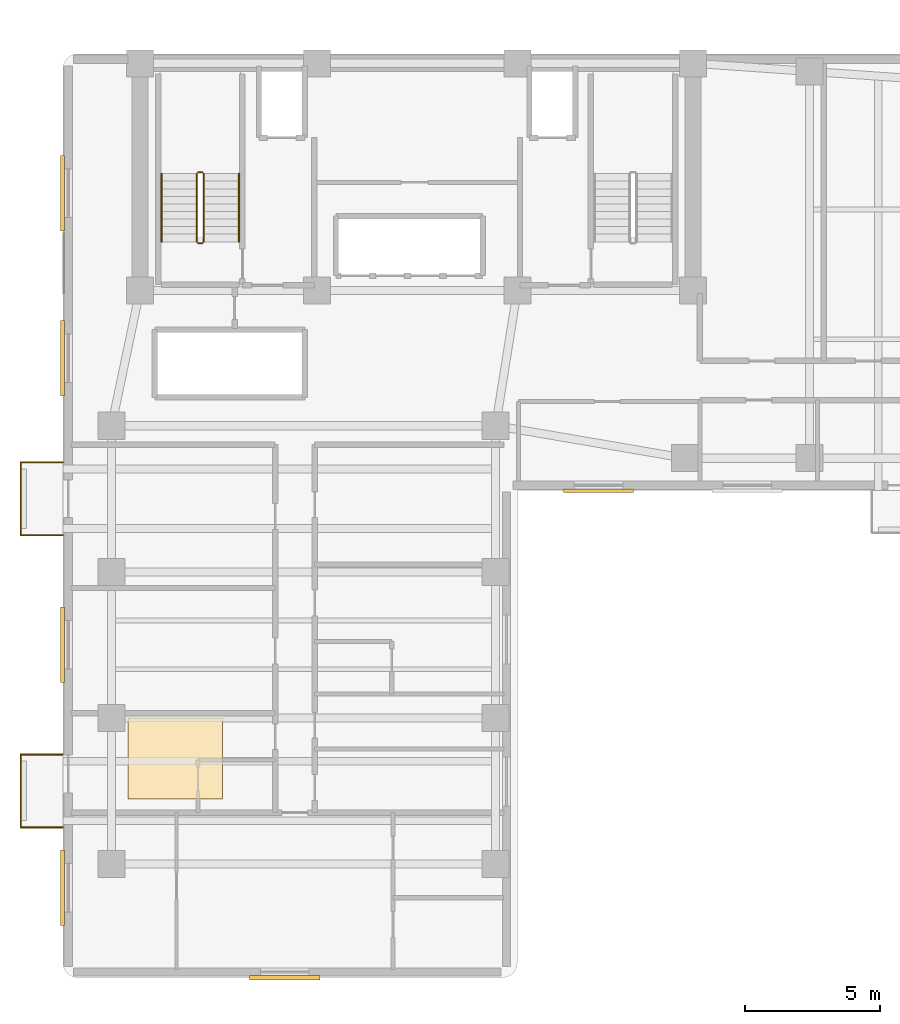
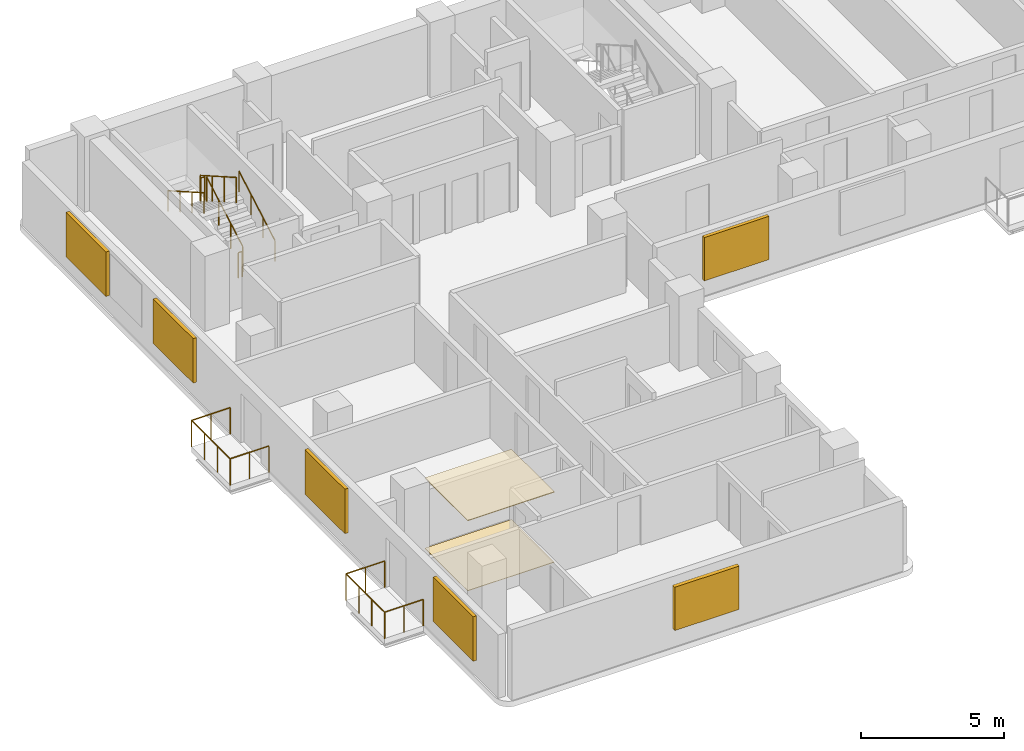
# One storey, part 6 of 8: 12 railings, 6 shading devices, 2 coverings.
"""IFC4 building model written with IfcOpenShell, lengths in metres."""

from ifc_helpers import new_model, si_unit, direction, frame, origin, origin_2d, place, context, subcontext, project, spatial, polyline, rectangle, circle, outline, extrude, material, layer, layer_set, type_object, element, save


model = new_model("IFC4")

# Units and contexts
model_context = context("Model", 3, precision=1e-05, world=origin(), true_north=direction((0.0, 1.0)))
body_context = subcontext(model_context, "Body", "Model", "MODEL_VIEW")
ifc_project = project(units=[si_unit("LENGTHUNIT", "METRE"), si_unit("AREAUNIT", "SQUARE_METRE"), si_unit("VOLUMEUNIT", "CUBIC_METRE"), si_unit("PLANEANGLEUNIT", "RADIAN"), si_unit("MASSUNIT", "GRAM", prefix="KILO")], contexts=[model_context])

# Site, building, storey
site_placement = place(None, origin())
site = spatial("IfcSite", under=ifc_project, at=site_placement, CompositionType="ELEMENT")
building_placement = place(site_placement, origin())
building = spatial("IfcBuilding", under=site, at=building_placement, Name="Kuzgunbayir Cultural Tower", CompositionType="ELEMENT")
storey_placement = place(building_placement, frame((0.0, 0.0, 107.39990234375)))
storey = spatial("IfcBuildingStorey", under=building, at=storey_placement, Name="L30", CompositionType="ELEMENT", Elevation=107.39990234375)

# Coverings
ifc_material_1 = material(Name="Perforated Gypsum Acoustic Tile", Category="gypsum")
ifc_layer_1 = layer(ifc_material_1, 0.02490234375)
ifc_layer_set_1 = layer_set([ifc_layer_1], Name="Perforated Gypsum Acoustic Tile")
covering_type_1 = type_object("IfcCoveringType", Name="COV-CEIL-ACOUSTIC", PredefinedType="CEILING", material=ifc_layer_set_1)
covering_1_placement = place(storey_placement, frame((0.0, 0.0, 2.989990234375)))
element("IfcCovering", 1, at=covering_1_placement, inside=storey, type_object=covering_type_1, Name="L30 Acoustic Soffit Ceiling", PredefinedType="CEILING", context=body_context, shape_type="SweptSolid", body=[
    extrude(outline(polyline([(6.0, 15.0), (9.5, 15.0), (9.5, 18.0), (6.0, 18.0), (6.0, 15.0)])), origin(), (0.0, 0.0, 1.0), 0.030029296875),
])
ifc_material_2 = material(Name="Engineered Anatolian Oak Parquet", Category="wood")
ifc_layer_2 = layer(ifc_material_2, 0.02197265625)
ifc_layer_set_2 = layer_set([ifc_layer_2], Name="Engineered Anatolian Oak Parquet")
covering_type_2 = type_object("IfcCoveringType", Name="COV-FLOOR-OAK", PredefinedType="FLOORING", material=ifc_layer_set_2)
covering_2_placement = place(storey_placement, origin())
element("IfcCovering", 2, at=covering_2_placement, inside=storey, type_object=covering_type_2, Name="L30 Acoustic Floor Finish", PredefinedType="FLOORING", context=body_context, shape_type="SweptSolid", body=[
    extrude(outline(polyline([(6.0, 15.0), (9.5, 15.0), (9.5, 18.0), (6.0, 18.0), (6.0, 15.0)])), origin(), (0.0, 0.0, 1.0), 0.02001953125),
])

# Railings
ifc_material_3 = material(Name="Laminated Glass and Stainless Steel", Category="steel")
ifc_layer_3 = layer(ifc_material_3, 0.080078125)
ifc_layer_set_3 = layer_set([ifc_layer_3], Name="Laminated Glass and Stainless Steel")
railing_type_1 = type_object("IfcRailingType", Name="RLG-BAL-115", PredefinedType="BALUSTRADE", material=ifc_layer_set_3)
railing_1_placement = place(storey_placement, frame((3.60009765625, 13.949951171875, 0.0)))
element("IfcRailing", 3, at=railing_1_placement, inside=storey, type_object=railing_type_1, Name="L30 Balcony Guard BAL-L30-WA1 Segment 1", PredefinedType="BALUSTRADE", context=body_context, shape_type="SweptSolid", body=[
    extrude(circle(Radius=0.02392578125, at=origin_2d()), frame((0.0, 0.0, 1.1259765625), z_axis=(-1.0, 0.0, 0.0), x_axis=(0.0, -1.0, 0.0)), (0.0, 0.0, 1.0), 1.56005859375),
    extrude(circle(Radius=0.02099609375, at=origin_2d()), origin(), (0.0, 0.0, 1.0), 1.101806640625),
    extrude(circle(Radius=0.02099609375, at=origin_2d()), frame((-0.780029296875, 0.0, 0.0)), (0.0, 0.0, 1.0), 1.101806640625),
    extrude(circle(Radius=0.02099609375, at=origin_2d()), frame((-1.56005859375, 0.0, 0.0)), (0.0, 0.0, 1.0), 1.101806640625),
])
railing_2_placement = place(storey_placement, frame((2.0400390625, 13.949951171875, 0.0)))
element("IfcRailing", 4, at=railing_2_placement, inside=storey, type_object=railing_type_1, Name="L30 Balcony Guard BAL-L30-WA1 Segment 2", PredefinedType="BALUSTRADE", context=body_context, shape_type="SweptSolid", body=[
    extrude(circle(Radius=0.02392578125, at=origin_2d()), frame((0.0, 0.0, 1.1259765625), z_axis=(0.0, 1.0, 0.0), x_axis=(-1.0, 0.0, 0.0)), (0.0, 0.0, 1.0), 2.699951171875),
    extrude(circle(Radius=0.02099609375, at=origin_2d()), origin(), (0.0, 0.0, 1.0), 1.101806640625),
    extrude(circle(Radius=0.02099609375, at=origin_2d()), frame((0.0, 0.89990234375, 0.0)), (0.0, 0.0, 1.0), 1.101806640625),
    extrude(circle(Radius=0.02099609375, at=origin_2d()), frame((0.0, 1.800048828125, 0.0)), (0.0, 0.0, 1.0), 1.101806640625),
    extrude(circle(Radius=0.02099609375, at=origin_2d()), frame((0.0, 2.699951171875, 0.0)), (0.0, 0.0, 1.0), 1.101806640625),
])
railing_3_placement = place(storey_placement, frame((2.0400390625, 16.64990234375, 0.0)))
element("IfcRailing", 5, at=railing_3_placement, inside=storey, type_object=railing_type_1, Name="L30 Balcony Guard BAL-L30-WA1 Segment 3", PredefinedType="BALUSTRADE", context=body_context, shape_type="SweptSolid", body=[
    extrude(circle(Radius=0.02392578125, at=origin_2d()), frame((0.0, 0.0, 1.1259765625), z_axis=(1.0, 0.0, 0.0), x_axis=(0.0, 1.0, 0.0)), (0.0, 0.0, 1.0), 1.56005859375),
    extrude(circle(Radius=0.02099609375, at=origin_2d()), origin(), (0.0, 0.0, 1.0), 1.101806640625),
    extrude(circle(Radius=0.02099609375, at=origin_2d()), frame((0.780029296875, 0.0, 0.0)), (0.0, 0.0, 1.0), 1.101806640625),
    extrude(circle(Radius=0.02099609375, at=origin_2d()), frame((1.56005859375, 0.0, 0.0)), (0.0, 0.0, 1.0), 1.101806640625),
])
railing_4_placement = place(storey_placement, frame((3.60009765625, 24.75, 0.0)))
element("IfcRailing", 6, at=railing_4_placement, inside=storey, type_object=railing_type_1, Name="L30 Balcony Guard BAL-L30-WA3 Segment 1", PredefinedType="BALUSTRADE", context=body_context, shape_type="SweptSolid", body=[
    extrude(circle(Radius=0.02392578125, at=origin_2d()), frame((0.0, 0.0, 1.1259765625), z_axis=(-1.0, 0.0, 0.0), x_axis=(0.0, -1.0, 0.0)), (0.0, 0.0, 1.0), 1.56005859375),
    extrude(circle(Radius=0.02099609375, at=origin_2d()), origin(), (0.0, 0.0, 1.0), 1.101806640625),
    extrude(circle(Radius=0.02099609375, at=origin_2d()), frame((-0.780029296875, 0.0, 0.0)), (0.0, 0.0, 1.0), 1.101806640625),
    extrude(circle(Radius=0.02099609375, at=origin_2d()), frame((-1.56005859375, 0.0, 0.0)), (0.0, 0.0, 1.0), 1.101806640625),
])
railing_5_placement = place(storey_placement, frame((2.0400390625, 24.75, 0.0)))
element("IfcRailing", 7, at=railing_5_placement, inside=storey, type_object=railing_type_1, Name="L30 Balcony Guard BAL-L30-WA3 Segment 2", PredefinedType="BALUSTRADE", context=body_context, shape_type="SweptSolid", body=[
    extrude(circle(Radius=0.02392578125, at=origin_2d()), frame((0.0, 0.0, 1.1259765625), z_axis=(0.0, 1.0, 0.0), x_axis=(-1.0, 0.0, 0.0)), (0.0, 0.0, 1.0), 2.699951171875),
    extrude(circle(Radius=0.02099609375, at=origin_2d()), origin(), (0.0, 0.0, 1.0), 1.101806640625),
    extrude(circle(Radius=0.02099609375, at=origin_2d()), frame((0.0, 0.89990234375, 0.0)), (0.0, 0.0, 1.0), 1.101806640625),
    extrude(circle(Radius=0.02099609375, at=origin_2d()), frame((0.0, 1.800048828125, 0.0)), (0.0, 0.0, 1.0), 1.101806640625),
    extrude(circle(Radius=0.02099609375, at=origin_2d()), frame((0.0, 2.699951171875, 0.0)), (0.0, 0.0, 1.0), 1.101806640625),
])
railing_6_placement = place(storey_placement, frame((2.0400390625, 27.449951171875, 0.0)))
element("IfcRailing", 8, at=railing_6_placement, inside=storey, type_object=railing_type_1, Name="L30 Balcony Guard BAL-L30-WA3 Segment 3", PredefinedType="BALUSTRADE", context=body_context, shape_type="SweptSolid", body=[
    extrude(circle(Radius=0.02392578125, at=origin_2d()), frame((0.0, 0.0, 1.1259765625), z_axis=(1.0, 0.0, 0.0), x_axis=(0.0, 1.0, 0.0)), (0.0, 0.0, 1.0), 1.56005859375),
    extrude(circle(Radius=0.02099609375, at=origin_2d()), origin(), (0.0, 0.0, 1.0), 1.101806640625),
    extrude(circle(Radius=0.02099609375, at=origin_2d()), frame((0.780029296875, 0.0, 0.0)), (0.0, 0.0, 1.0), 1.101806640625),
    extrude(circle(Radius=0.02099609375, at=origin_2d()), frame((1.56005859375, 0.0, 0.0)), (0.0, 0.0, 1.0), 1.101806640625),
])
ifc_material_4 = material(Name="Brushed Stainless Steel", Category="steel")
ifc_layer_4 = layer(ifc_material_4, 0.050048828125)
ifc_layer_set_4 = layer_set([ifc_layer_4], Name="Brushed Stainless Steel")
railing_type_2 = type_object("IfcRailingType", Name="RLG-STAIR-HANDRAIL", PredefinedType="HANDRAIL", material=ifc_layer_set_4)
railing_7_placement = place(storey_placement, frame((10.110107421875, 35.60009765625, 0.16015625)))
element("IfcRailing", 9, at=railing_7_placement, inside=storey, type_object=railing_type_2, Name="L30 ST-1 stair handrail 1", PredefinedType="HANDRAIL", context=body_context, shape_type="SweptSolid", body=[
    extrude(circle(Radius=0.02392578125, at=origin_2d()), frame((0.0, 0.0, 0.8759765625), z_axis=(0.0, 0.868253494771, 0.496120820787), x_axis=(-1.0, 0.0, 0.0)), (0.0, 0.0, 1.0), 2.90234375),
    extrude(circle(Radius=0.02099609375, at=origin_2d()), origin(), (0.0, 0.0, 1.0), 0.851806640625),
    extrude(circle(Radius=0.02099609375, at=origin_2d()), frame((0.0, 0.840087890625, 0.47998046875)), (0.0, 0.0, 1.0), 0.851806640625),
    extrude(circle(Radius=0.02099609375, at=origin_2d()), frame((0.0, 1.679931640625, 0.9599609375)), (0.0, 0.0, 1.0), 0.851806640625),
    extrude(circle(Radius=0.02099609375, at=origin_2d()), frame((0.0, 2.52001953125, 1.43994140625)), (0.0, 0.0, 1.0), 0.851806640625),
])
railing_8_placement = place(storey_placement, frame((7.25, 38.1201171875, 1.760009765625)))
element("IfcRailing", 10, at=railing_8_placement, inside=storey, type_object=railing_type_2, Name="L30 ST-1 stair handrail 2", PredefinedType="HANDRAIL", context=body_context, shape_type="SweptSolid", body=[
    extrude(circle(Radius=0.02392578125, at=origin_2d()), frame((0.0, 0.0, 0.8759765625), z_axis=(0.0, -0.868217259934, 0.496184229447), x_axis=(1.0, 0.0, 0.0)), (0.0, 0.0, 1.0), 2.902587890625),
    extrude(circle(Radius=0.02099609375, at=origin_2d()), origin(), (0.0, 0.0, 1.0), 0.851806640625),
    extrude(circle(Radius=0.02099609375, at=origin_2d()), frame((0.0, -0.840087890625, 0.47998046875)), (0.0, 0.0, 1.0), 0.851806640625),
    extrude(circle(Radius=0.02099609375, at=origin_2d()), frame((0.0, -1.679931640625, 0.960205078125)), (0.0, 0.0, 1.0), 0.851806640625),
    extrude(circle(Radius=0.02099609375, at=origin_2d()), frame((0.0, -2.52001953125, 1.440185546875)), (0.0, 0.0, 1.0), 0.851806640625),
])
ifc_material_5 = material(Name="Painted Steel Balustrade", Category="steel")
ifc_layer_5 = layer(ifc_material_5, 0.06005859375)
ifc_layer_set_5 = layer_set([ifc_layer_5], Name="Painted Steel Balustrade")
railing_type_3 = type_object("IfcRailingType", Name="RLG-WELL-GUARD", PredefinedType="GUARDRAIL", material=ifc_layer_set_5)
railing_9_placement = place(storey_placement, frame((8.81005859375, 35.60009765625, 0.16015625)))
element("IfcRailing", 11, at=railing_9_placement, inside=storey, type_object=railing_type_3, Name="L30 ST-1 stair guard 1", PredefinedType="GUARDRAIL", context=body_context, shape_type="SweptSolid", body=[
    extrude(circle(Radius=0.02392578125, at=origin_2d()), frame((0.0, 0.0, 1.076171875), z_axis=(0.0, 0.868253494771, 0.496120820787), x_axis=(-1.0, 0.0, 0.0)), (0.0, 0.0, 1.0), 2.90234375),
    extrude(circle(Radius=0.02099609375, at=origin_2d()), origin(), (0.0, 0.0, 1.0), 1.052001953125),
    extrude(circle(Radius=0.02099609375, at=origin_2d()), frame((0.0, 0.840087890625, 0.47998046875)), (0.0, 0.0, 1.0), 1.052001953125),
    extrude(circle(Radius=0.02099609375, at=origin_2d()), frame((0.0, 1.679931640625, 0.9599609375)), (0.0, 0.0, 1.0), 1.052001953125),
    extrude(circle(Radius=0.02099609375, at=origin_2d()), frame((0.0, 2.52001953125, 1.43994140625)), (0.0, 0.0, 1.0), 1.052001953125),
])
railing_10_placement = place(storey_placement, frame((8.760009765625, 38.169921875, 1.60009765625)))
element("IfcRailing", 12, at=railing_10_placement, inside=storey, type_object=railing_type_3, Name="L30 ST-1 stair guard 2", PredefinedType="GUARDRAIL", context=body_context, shape_type="SweptSolid", body=[
    extrude(circle(Radius=0.02392578125, at=origin_2d()), frame((0.0, 0.0, 1.076171875), z_axis=(-1.0, 0.0, 0.0), x_axis=(0.0, -1.0, 0.0)), (0.0, 0.0, 1.0), 0.159912109375),
    extrude(circle(Radius=0.02099609375, at=origin_2d()), origin(), (0.0, 0.0, 1.0), 1.052001953125),
    extrude(circle(Radius=0.02099609375, at=origin_2d()), frame((-0.159912109375, 0.0, 0.0)), (0.0, 0.0, 1.0), 1.052001953125),
])
railing_11_placement = place(storey_placement, frame((8.550048828125, 38.1201171875, 1.760009765625)))
element("IfcRailing", 13, at=railing_11_placement, inside=storey, type_object=railing_type_3, Name="L30 ST-1 stair guard 3", PredefinedType="GUARDRAIL", context=body_context, shape_type="SweptSolid", body=[
    extrude(circle(Radius=0.02392578125, at=origin_2d()), frame((0.0, 0.0, 1.076171875), z_axis=(0.0, -0.868217259934, 0.496184229447), x_axis=(1.0, 0.0, 0.0)), (0.0, 0.0, 1.0), 2.902587890625),
    extrude(circle(Radius=0.02099609375, at=origin_2d()), origin(), (0.0, 0.0, 1.0), 1.052001953125),
    extrude(circle(Radius=0.02099609375, at=origin_2d()), frame((0.0, -0.840087890625, 0.47998046875)), (0.0, 0.0, 1.0), 1.052001953125),
    extrude(circle(Radius=0.02099609375, at=origin_2d()), frame((0.0, -1.679931640625, 0.960205078125)), (0.0, 0.0, 1.0), 1.052001953125),
    extrude(circle(Radius=0.02099609375, at=origin_2d()), frame((0.0, -2.52001953125, 1.440185546875)), (0.0, 0.0, 1.0), 1.052001953125),
])
railing_12_placement = place(storey_placement, frame((8.760009765625, 35.550048828125, 0.0)))
element("IfcRailing", 14, at=railing_12_placement, inside=storey, type_object=railing_type_3, Name="L30 ST-1 stair guard 4", PredefinedType="GUARDRAIL", context=body_context, shape_type="SweptSolid", body=[
    extrude(circle(Radius=0.02392578125, at=origin_2d()), frame((0.0, 0.0, 1.076171875), z_axis=(-1.0, 0.0, 0.0), x_axis=(0.0, -1.0, 0.0)), (0.0, 0.0, 1.0), 0.159912109375),
    extrude(circle(Radius=0.02099609375, at=origin_2d()), origin(), (0.0, 0.0, 1.0), 1.052001953125),
    extrude(circle(Radius=0.02099609375, at=origin_2d()), frame((-0.159912109375, 0.0, 0.0)), (0.0, 0.0, 1.0), 1.052001953125),
])

# Shading devices
ifc_material_6 = material(Name="Perforated Bronze-Anodised Aluminium", Category="aluminium")
shading_device_type_1 = type_object("IfcShadingDeviceType", Name="SHD-SOLAR-BRONZE", PredefinedType="JALOUSIE", material=ifc_material_6)
for number, where, z_axis, x_axis, name in (
    (15, (3.590087890625, 11.719970703125, 0.710205078125), (0.0, 0.0, 1.0), (1.0, 0.0, 0.0), "L30 Perforated Bronze Solar Screen WAW1"),
    (16, (3.590087890625, 20.699951171875, 0.710205078125), (0.0, 0.0, 1.0), (1.0, 0.0, 0.0), "L30 Perforated Bronze Solar Screen WAW6"),
    (17, (3.590087890625, 31.300048828125, 0.710205078125), (0.0, 0.0, 1.0), (1.0, 0.0, 0.0), "L30 Perforated Bronze Solar Screen WAW7"),
    (18, (3.590087890625, 37.39990234375, 0.710205078125), (0.0, 0.0, 1.0), (1.0, 0.0, 0.0), "L30 Perforated Bronze Solar Screen WAW8"),
):
    element("IfcShadingDevice", number, at=place(storey_placement, frame(where, z_axis=z_axis, x_axis=x_axis)), inside=storey, type_object=shading_device_type_1, Name=name, PredefinedType="JALOUSIE", context=body_context, shape_type="SweptSolid", body=[
        extrude(rectangle(XDim=0.139892578125, YDim=2.800048828125, at=origin_2d()), origin(), (0.0, 0.0, 1.0), 1.89990234375),
    ])
shading_device_1_placement = place(storey_placement, frame((23.39990234375, 26.39990234375, 0.735107421875), z_axis=(0.0, 0.0, 1.0), x_axis=(1.0, 0.0, 0.0)))
element("IfcShadingDevice", 19, at=shading_device_1_placement, inside=storey, type_object=shading_device_type_1, Name="L30 Solar Screen WBS10", PredefinedType="JALOUSIE", context=body_context, shape_type="SweptSolid", body=[
    extrude(rectangle(XDim=2.60009765625, YDim=0.139892578125, at=origin_2d()), origin(), (0.0, 0.0, 1.0), 1.85009765625),
])
ifc_material_7 = material(Name="Warm Terracotta Ceramic Baguette", Category="masonry")
shading_device_type_2 = type_object("IfcShadingDeviceType", Name="SHD-SOLAR-CERAMIC", PredefinedType="SHUTTER", material=ifc_material_7)
shading_device_2_placement = place(storey_placement, frame((11.800048828125, 8.389892578125, 0.795166015625), z_axis=(0.0, 0.0, 1.0), x_axis=(1.0, 0.0, 0.0)))
element("IfcShadingDevice", 20, at=shading_device_2_placement, inside=storey, type_object=shading_device_type_2, Name="L30 Solar Screen WAS2", PredefinedType="SHUTTER", context=body_context, shape_type="SweptSolid", body=[
    extrude(rectangle(XDim=2.60009765625, YDim=0.159912109375, at=origin_2d()), origin(), (0.0, 0.0, 1.0), 1.85009765625),
])

save(model, "model.ifc")
